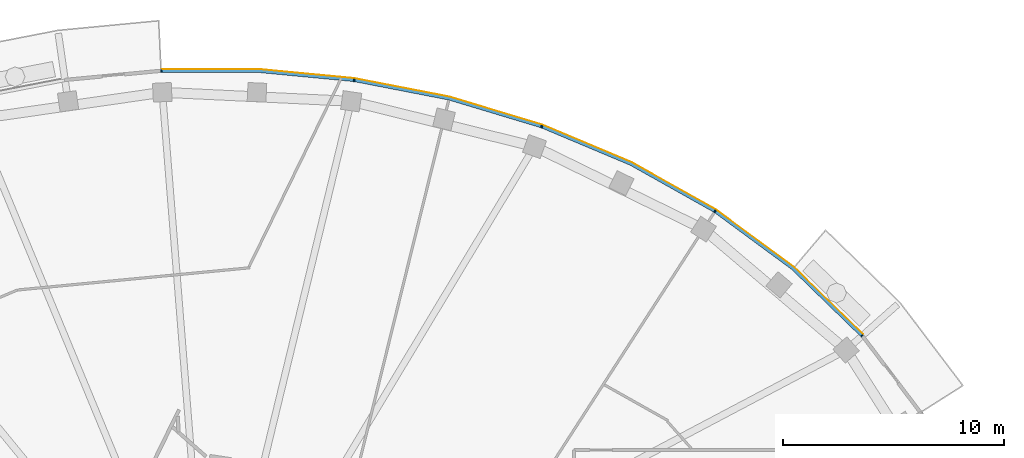
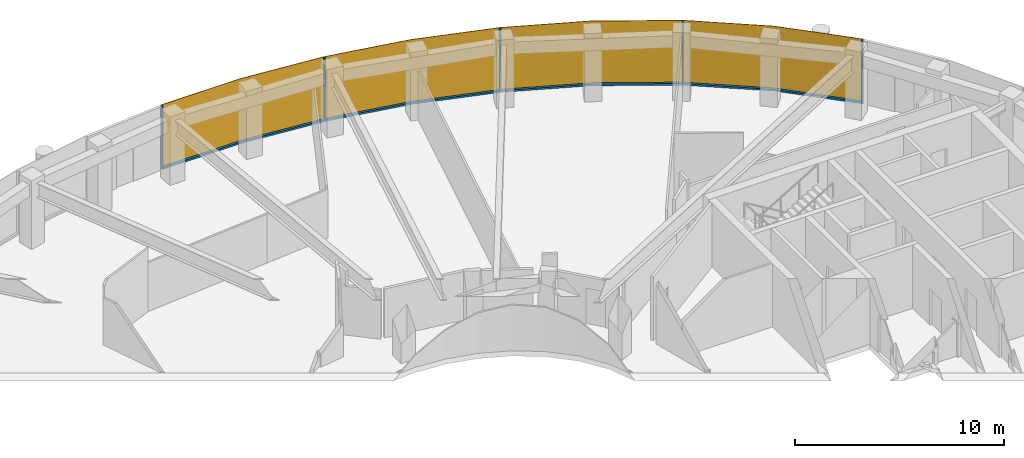
# One storey, part 17 of 20: 9 members, 1 curtain wall.
"""IFC4 building model written with IfcOpenShell, lengths in metres."""

from ifc_helpers import new_model, si_unit, direction, frame, origin, origin_2d, place, context, subcontext, project, spatial, polyline, rectangle, outline, extrude, material, layer, layer_set, material_profile, profile_set, type_object, element, aggregate, save


model = new_model("IFC4")

# Units and contexts
model_context = context("Model", 3, precision=1e-05, world=origin(), true_north=direction((0.0, 1.0)))
body_context = subcontext(model_context, "Body", "Model", "MODEL_VIEW")
ifc_project = project(units=[si_unit("LENGTHUNIT", "METRE"), si_unit("AREAUNIT", "SQUARE_METRE"), si_unit("VOLUMEUNIT", "CUBIC_METRE"), si_unit("PLANEANGLEUNIT", "RADIAN"), si_unit("MASSUNIT", "GRAM", prefix="KILO")], contexts=[model_context])

# Member
ifc_material_1 = material(Name="Aluminium 6063-T6 black anodised", Category="aluminium")
ifc_material_profile = material_profile(ifc_material_1, rectangle(XDim=0.1201171875, YDim=0.06005859375, at=origin_2d()), Name="120x60")
ifc_profile_set = profile_set([ifc_material_profile], Name="Aluminium 6063-T6 black anodised")
member_type_1 = type_object("IfcMemberType", Name="ENV-MULLION-A-120", PredefinedType="MULLION", material=ifc_profile_set)
site_placement = place(None, origin())
building_placement = place(site_placement, origin())
storey_placement = place(building_placement, frame((0.0, 0.0, 323.0)))
member_1_placement = place(storey_placement, frame((29.53857421875, 15.8671875, 0.0), z_axis=(0.0, 0.0, 1.0), x_axis=(-0.749047221705, -0.662516610853, 0.0)))
member_1 = element("IfcMember", 1, at=member_1_placement, type_object=member_type_1, Name="Mullion A radial 05", PredefinedType="MULLION", context=body_context, shape_type="SweptSolid", body=[
    extrude(rectangle(XDim=0.1201171875, YDim=0.06005859375, at=origin_2d()), origin(), (0.0, 0.0, 1.0), 3.699951171875),
])

member_2_placement = place(storey_placement, frame((22.882568359375, 21.506591796875, 0.0), z_axis=(0.0, 0.0, 1.0), x_axis=(-0.542279153225, -0.840198381323, 0.0)))
member_2 = element("IfcMember", 2, at=member_2_placement, type_object=member_type_1, Name="Mullion A radial 07", PredefinedType="MULLION", context=body_context, shape_type="SweptSolid", body=[
    extrude(rectangle(XDim=0.1201171875, YDim=0.06005859375, at=origin_2d()), origin(), (0.0, 0.0, 1.0), 3.699951171875),
])

member_3_placement = place(storey_placement, frame((15.0341796875, 25.34375, 0.0), z_axis=(0.0, 0.0, 1.0), x_axis=(-0.338379256581, -0.941009818608, 0.0)))
member_3 = element("IfcMember", 3, at=member_3_placement, type_object=member_type_1, Name="Mullion A radial 09", PredefinedType="MULLION", context=body_context, shape_type="SweptSolid", body=[
    extrude(rectangle(XDim=0.1201171875, YDim=0.06005859375, at=origin_2d()), origin(), (0.0, 0.0, 1.0), 3.699951171875),
])

member_4_placement = place(storey_placement, frame((6.54638671875, 27.440185546875, 0.0), z_axis=(0.0, 0.0, 1.0), x_axis=(-0.143082012705, -0.989710835366, 0.0)))
member_4 = element("IfcMember", 4, at=member_4_placement, type_object=member_type_1, Name="Mullion A radial 11", PredefinedType="MULLION", context=body_context, shape_type="SweptSolid", body=[
    extrude(rectangle(XDim=0.1201171875, YDim=0.06005859375, at=origin_2d()), origin(), (0.0, 0.0, 1.0), 3.699951171875),
])

member_5_placement = place(storey_placement, frame((-2.188720703125, 27.856201171875, 0.0), z_axis=(0.0, 0.0, 1.0), x_axis=(0.047557873581, -0.998868484166, 0.0)))
member_5 = element("IfcMember", 5, at=member_5_placement, type_object=member_type_1, Name="Mullion A radial 13", PredefinedType="MULLION", context=body_context, shape_type="SweptSolid", body=[
    extrude(rectangle(XDim=0.1201171875, YDim=0.06005859375, at=origin_2d()), origin(), (0.0, 0.0, 1.0), 3.699951171875),
])

ifc_material_2 = material(Name="Aluminium 6063-T6 black anodised", Category="aluminium")
member_type_2 = type_object("IfcMemberType", Name="ENV-TRANSOM-A", PredefinedType="USERDEFINED", material=ifc_material_2)
member_6_placement = place(storey_placement, origin())
member_6 = element("IfcMember", 6, at=member_6_placement, type_object=member_type_2, Name="Transom A radial 05-07", ObjectType="TRANSOM", PredefinedType="USERDEFINED", context=body_context, shape_type="SweptSolid", body=[
    extrude(outline(polyline([(29.5634765625, 15.926513671875), (26.4423828125, 18.958740234375), (22.937744140625, 21.540283203125), (22.87255859375, 21.439208984375), (26.364501953125, 18.866943359375), (29.473388671875, 15.8466796875), (29.5634765625, 15.926513671875)])), origin(), (0.0, 0.0, 1.0), 0.10009765625),
])

member_7_placement = place(storey_placement, origin())
member_7 = element("IfcMember", 7, at=member_7_placement, type_object=member_type_2, Name="Transom A radial 07-09", ObjectType="TRANSOM", PredefinedType="USERDEFINED", context=body_context, shape_type="SweptSolid", body=[
    extrude(outline(polyline([(22.890625, 21.570556640625), (19.093994140625, 23.701416015625), (15.080322265625, 25.389404296875), (15.03955078125, 25.276123046875), (19.041259765625, 23.593505859375), (22.825439453125, 21.469482421875), (22.890625, 21.570556640625)])), origin(), (0.0, 0.0, 1.0), 0.10009765625),
])

member_8_placement = place(storey_placement, origin())
member_8 = element("IfcMember", 8, at=member_8_placement, type_object=member_type_2, Name="Transom A radial 09-11", ObjectType="TRANSOM", PredefinedType="USERDEFINED", context=body_context, shape_type="SweptSolid", body=[
    extrude(outline(polyline([(15.027587890625, 25.408203125), (10.857666015625, 26.6630859375), (6.58251953125, 27.494140625), (6.5654296875, 27.375244140625), (10.828857421875, 26.54638671875), (14.987060546875, 25.295166015625), (15.027587890625, 25.408203125)])), origin(), (0.0, 0.0, 1.0), 0.10009765625),
])

member_9_placement = place(storey_placement, origin())
member_9 = element("IfcMember", 9, at=member_9_placement, type_object=member_type_2, Name="Transom A radial 11-13", ObjectType="TRANSOM", PredefinedType="USERDEFINED", context=body_context, shape_type="SweptSolid", body=[
    extrude(outline(polyline([(6.527099609375, 27.502197265625), (2.191650390625, 27.916015625), (-2.163818359375, 27.916015625), (-2.157958984375, 27.7958984375), (2.185791015625, 27.7958984375), (6.510009765625, 27.38330078125), (6.527099609375, 27.502197265625)])), origin(), (0.0, 0.0, 1.0), 0.10009765625),
])

# Site, building, storey
site = spatial("IfcSite", under=ifc_project, at=site_placement, CompositionType="ELEMENT")
building = spatial("IfcBuilding", under=site, at=building_placement, Name="Noorbagh Ring Tower", CompositionType="ELEMENT")
storey = spatial("IfcBuildingStorey", under=building, at=storey_placement, Name="L70", CompositionType="ELEMENT", Elevation=323.0)

# Curtain wall
ifc_material_3 = material(Name="Glass dark tinted laminated", Category="glass")
ifc_layer = layer(ifc_material_3, 0.031982421875)
ifc_layer_set = layer_set([ifc_layer], Name="Glass dark tinted laminated")
curtain_wall_type = type_object("IfcCurtainWallType", Name="ENV-CW-A", PredefinedType="NOTDEFINED", material=ifc_layer_set)
curtain_wall_placement = place(storey_placement, origin())
curtain_wall = element("IfcCurtainWall", 10, at=curtain_wall_placement, inside=storey, type_object=curtain_wall_type, Name="Curtain wall A R05", PredefinedType="NOTDEFINED", context=body_context, shape_type="SweptSolid", body=[
    extrude(outline(polyline([(29.59326171875, 15.942138671875), (26.463134765625, 18.9833984375), (22.9326171875, 21.583740234375), (19.108154296875, 23.730224609375), (15.065185546875, 25.430419921875), (10.865234375, 26.6943359375), (6.559814453125, 27.53125), (2.193115234375, 27.947998046875), (-2.173095703125, 27.947998046875), (-2.171630859375, 27.916015625), (2.191650390625, 27.916015625), (6.55517578125, 27.49951171875), (10.857666015625, 26.6630859375), (15.054443359375, 25.400146484375), (19.093994140625, 23.701416015625), (22.9150390625, 21.556884765625), (26.4423828125, 18.958740234375), (29.569091796875, 15.9208984375), (29.59326171875, 15.942138671875)])), origin(), (0.0, 0.0, 1.0), 3.699951171875),
])

aggregate(curtain_wall, [member_1, member_2, member_3, member_4, member_5, member_6, member_7, member_8, member_9])

save(model, "model.ifc")
